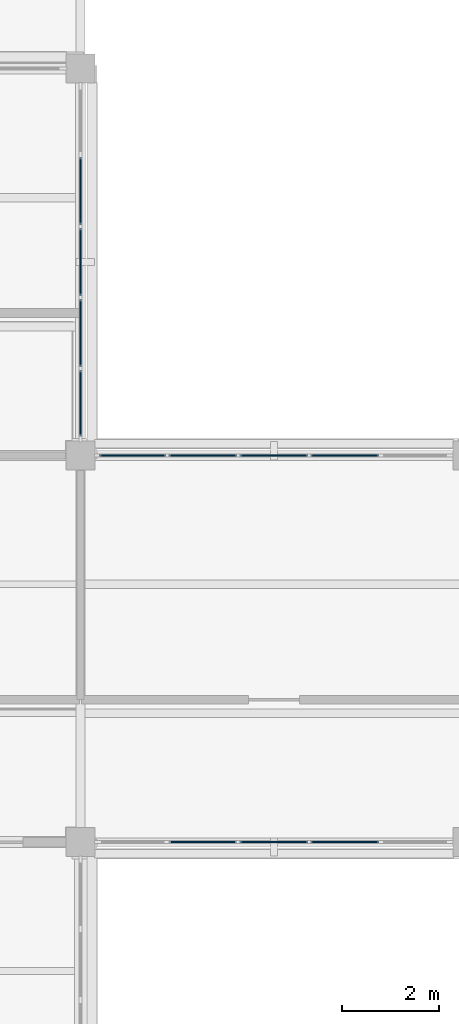
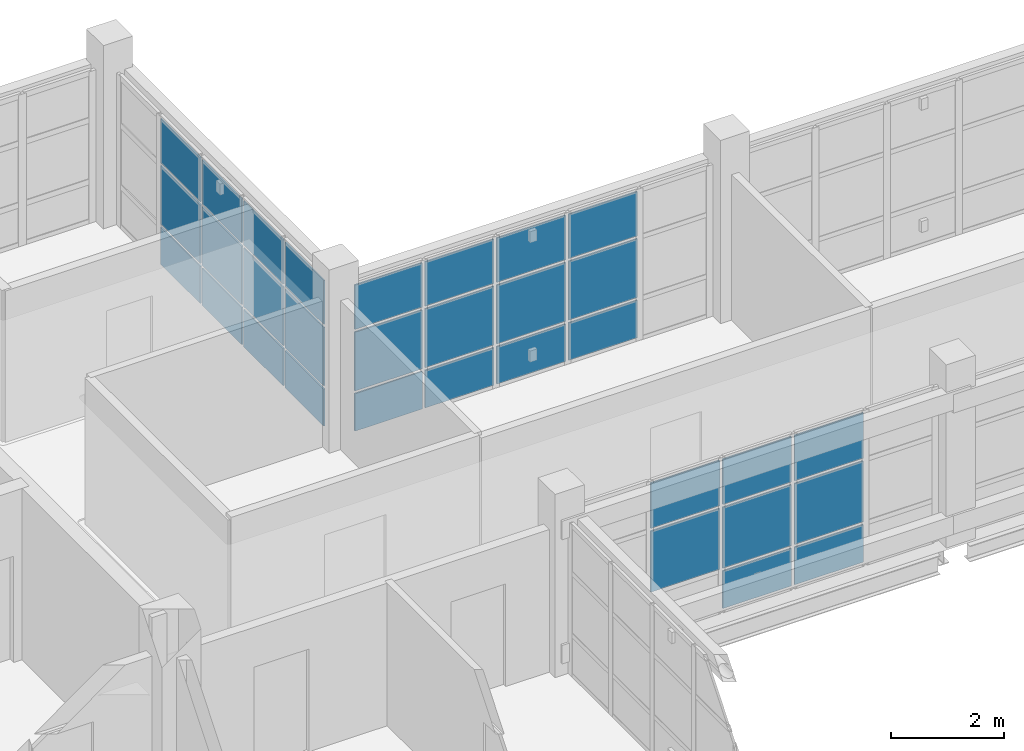
# One storey, part 72 of 126: 32 plates, 3 elements without a shape of their own.
"""IFC4 building model written with IfcOpenShell, lengths in metres."""

from ifc_helpers import new_model, si_unit, derived_unit, direction, frame, origin, origin_2d, place, context, subcontext, project, spatial, rectangle, extrude, material, layer, layer_set, type_object, element, aggregate, save


model = new_model("IFC4")

# Units and contexts
model_context = context("Model", 3, precision=1e-05, world=origin(), true_north=direction((0.0, 1.0)))
body_context = subcontext(model_context, "Body", "Model", "MODEL_VIEW")
ifc_project = project(units=[si_unit("LENGTHUNIT", "METRE"), si_unit("AREAUNIT", "SQUARE_METRE"), si_unit("VOLUMEUNIT", "CUBIC_METRE"), si_unit("PLANEANGLEUNIT", "RADIAN"), si_unit("MASSUNIT", "GRAM", prefix="KILO"), derived_unit("THERMALTRANSMITTANCEUNIT", [(si_unit("MASSUNIT", "GRAM", prefix="KILO"), 1), (si_unit("TIMEUNIT", "SECOND"), -3), (si_unit("THERMODYNAMICTEMPERATUREUNIT", "KELVIN"), -1)])], contexts=[model_context])

# Site, building, storey
site_placement = place(None, origin())
site = spatial("IfcSite", under=ifc_project, at=site_placement, CompositionType="ELEMENT")
building_placement = place(site_placement, origin())
building = spatial("IfcBuilding", under=site, at=building_placement, Name="Veyamyaing Civic Hall", CompositionType="ELEMENT")
storey_placement = place(building_placement, frame((0.0, 0.0, 9.89990234375)))
storey = spatial("IfcBuildingStorey", under=building, at=storey_placement, Name="L02", CompositionType="ELEMENT", Elevation=9.89990234375)

# Curtain wall, plates
ifc_material_1 = material(Name="Anodised aluminium 6063-T6", Category="aluminium")
ifc_layer_1 = layer(ifc_material_1, 0.159912109375, Name="Anodised aluminium 6063-T6")
ifc_layer_set_1 = layer_set([ifc_layer_1], Name="Anodised aluminium 6063-T6")
curtain_wall_type_1 = type_object("IfcCurtainWallType", Name="CW-03", PredefinedType="NOTDEFINED", material=ifc_layer_set_1)
curtain_wall_1_placement = place(storey_placement, origin())
curtain_wall_1 = element("IfcCurtainWall", 1, at=curtain_wall_1_placement, inside=storey, type_object=curtain_wall_type_1, Name="Unitized curtain wall CW-03 L02 E 15.8", PredefinedType="NOTDEFINED")
ifc_material_2 = material(Name="Low-E insulated glass", Category="glass")
ifc_layer_2 = layer(ifc_material_2, 0.028076171875, Name="Low-E insulated glass")
ifc_layer_set_2 = layer_set([ifc_layer_2], Name="Low-E insulated glass")
plate_type = type_object("IfcPlateType", Name="CWP-01", PredefinedType="CURTAIN_PANEL", material=ifc_layer_set_2)
plate_1_placement = place(storey_placement, frame((120.0, 57.080322265625, 0.06494140625), z_axis=(0.0, 0.0, 1.0), x_axis=(0.0, 1.0, 0.0)))
plate_1 = element("IfcPlate", 2, at=plate_1_placement, type_object=plate_type, Name="CW-03 panel 1.1", PredefinedType="CURTAIN_PANEL", context=body_context, shape_type="SweptSolid", body=[
    extrude(rectangle(XDim=1.37060546875, YDim=0.028076171875, at=origin_2d()), origin(), (0.0, 0.0, 1.0), 0.802490234375),
])
plate_2_placement = place(storey_placement, frame((120.0, 57.080322265625, 0.9326171875), z_axis=(0.0, 0.0, 1.0), x_axis=(0.0, 1.0, 0.0)))
plate_2 = element("IfcPlate", 3, at=plate_2_placement, type_object=plate_type, Name="CW-03 panel 1.2", PredefinedType="CURTAIN_PANEL", context=body_context, shape_type="SweptSolid", body=[
    extrude(rectangle(XDim=1.37060546875, YDim=0.028076171875, at=origin_2d()), origin(), (0.0, 0.0, 1.0), 1.265380859375),
])
plate_3_placement = place(storey_placement, frame((120.0, 57.080322265625, 2.262939453125), z_axis=(0.0, 0.0, 1.0), x_axis=(0.0, 1.0, 0.0)))
plate_3 = element("IfcPlate", 4, at=plate_3_placement, type_object=plate_type, Name="CW-03 panel 1.3", PredefinedType="CURTAIN_PANEL", context=body_context, shape_type="SweptSolid", body=[
    extrude(rectangle(XDim=1.37060546875, YDim=0.028076171875, at=origin_2d()), origin(), (0.0, 0.0, 1.0), 0.9521484375),
])
plate_4_placement = place(storey_placement, frame((120.0, 58.531982421875, 0.06494140625), z_axis=(0.0, 0.0, 1.0), x_axis=(0.0, 1.0, 0.0)))
plate_4 = element("IfcPlate", 5, at=plate_4_placement, type_object=plate_type, Name="CW-03 panel 2.1", PredefinedType="CURTAIN_PANEL", context=body_context, shape_type="SweptSolid", body=[
    extrude(rectangle(XDim=1.403076171875, YDim=0.028076171875, at=origin_2d()), origin(), (0.0, 0.0, 1.0), 0.802490234375),
])
plate_5_placement = place(storey_placement, frame((120.0, 58.531982421875, 0.9326171875), z_axis=(0.0, 0.0, 1.0), x_axis=(0.0, 1.0, 0.0)))
plate_5 = element("IfcPlate", 6, at=plate_5_placement, type_object=plate_type, Name="CW-03 panel 2.2", PredefinedType="CURTAIN_PANEL", context=body_context, shape_type="SweptSolid", body=[
    extrude(rectangle(XDim=1.403076171875, YDim=0.028076171875, at=origin_2d()), origin(), (0.0, 0.0, 1.0), 1.265380859375),
])
plate_6_placement = place(storey_placement, frame((120.0, 58.531982421875, 2.262939453125), z_axis=(0.0, 0.0, 1.0), x_axis=(0.0, 1.0, 0.0)))
plate_6 = element("IfcPlate", 7, at=plate_6_placement, type_object=plate_type, Name="CW-03 panel 2.3", PredefinedType="CURTAIN_PANEL", context=body_context, shape_type="SweptSolid", body=[
    extrude(rectangle(XDim=1.403076171875, YDim=0.028076171875, at=origin_2d()), origin(), (0.0, 0.0, 1.0), 0.9521484375),
])
plate_7_placement = place(storey_placement, frame((120.0, 60.0, 0.06494140625), z_axis=(0.0, 0.0, 1.0), x_axis=(0.0, 1.0, 0.0)))
plate_7 = element("IfcPlate", 8, at=plate_7_placement, type_object=plate_type, Name="CW-03 panel 3.1", PredefinedType="CURTAIN_PANEL", context=body_context, shape_type="SweptSolid", body=[
    extrude(rectangle(XDim=1.403076171875, YDim=0.028076171875, at=origin_2d()), origin(), (0.0, 0.0, 1.0), 0.802490234375),
])
plate_8_placement = place(storey_placement, frame((120.0, 60.0, 0.9326171875), z_axis=(0.0, 0.0, 1.0), x_axis=(0.0, 1.0, 0.0)))
plate_8 = element("IfcPlate", 9, at=plate_8_placement, type_object=plate_type, Name="CW-03 panel 3.2", PredefinedType="CURTAIN_PANEL", context=body_context, shape_type="SweptSolid", body=[
    extrude(rectangle(XDim=1.403076171875, YDim=0.028076171875, at=origin_2d()), origin(), (0.0, 0.0, 1.0), 1.265380859375),
])
plate_9_placement = place(storey_placement, frame((120.0, 60.0, 2.262939453125), z_axis=(0.0, 0.0, 1.0), x_axis=(0.0, 1.0, 0.0)))
plate_9 = element("IfcPlate", 10, at=plate_9_placement, type_object=plate_type, Name="CW-03 panel 3.3", PredefinedType="CURTAIN_PANEL", context=body_context, shape_type="SweptSolid", body=[
    extrude(rectangle(XDim=1.403076171875, YDim=0.028076171875, at=origin_2d()), origin(), (0.0, 0.0, 1.0), 0.9521484375),
])
plate_10_placement = place(storey_placement, frame((120.0, 61.468017578125, 0.06494140625), z_axis=(0.0, 0.0, 1.0), x_axis=(0.0, 1.0, 0.0)))
plate_10 = element("IfcPlate", 11, at=plate_10_placement, type_object=plate_type, Name="CW-03 panel 4.1", PredefinedType="CURTAIN_PANEL", context=body_context, shape_type="SweptSolid", body=[
    extrude(rectangle(XDim=1.403076171875, YDim=0.028076171875, at=origin_2d()), origin(), (0.0, 0.0, 1.0), 0.802490234375),
])
plate_11_placement = place(storey_placement, frame((120.0, 61.468017578125, 0.9326171875), z_axis=(0.0, 0.0, 1.0), x_axis=(0.0, 1.0, 0.0)))
plate_11 = element("IfcPlate", 12, at=plate_11_placement, type_object=plate_type, Name="CW-03 panel 4.2", PredefinedType="CURTAIN_PANEL", context=body_context, shape_type="SweptSolid", body=[
    extrude(rectangle(XDim=1.403076171875, YDim=0.028076171875, at=origin_2d()), origin(), (0.0, 0.0, 1.0), 1.265380859375),
])
plate_12_placement = place(storey_placement, frame((120.0, 61.468017578125, 2.262939453125), z_axis=(0.0, 0.0, 1.0), x_axis=(0.0, 1.0, 0.0)))
plate_12 = element("IfcPlate", 13, at=plate_12_placement, type_object=plate_type, Name="CW-03 panel 4.3", PredefinedType="CURTAIN_PANEL", context=body_context, shape_type="SweptSolid", body=[
    extrude(rectangle(XDim=1.403076171875, YDim=0.028076171875, at=origin_2d()), origin(), (0.0, 0.0, 1.0), 0.9521484375),
])
aggregate(curtain_wall_1, [plate_1, plate_2, plate_3, plate_4, plate_5, plate_6, plate_7, plate_8, plate_9, plate_10, plate_11, plate_12])

ifc_layer_3 = layer(ifc_material_1, 0.139892578125, Name="Anodised aluminium 6063-T6")
ifc_layer_set_3 = layer_set([ifc_layer_3], Name="Anodised aluminium 6063-T6")
curtain_wall_type_2 = type_object("IfcCurtainWallType", Name="CW-04", PredefinedType="NOTDEFINED", material=ifc_layer_set_3)
curtain_wall_2_placement = place(storey_placement, origin())
curtain_wall_2 = element("IfcCurtainWall", 14, at=curtain_wall_2_placement, inside=storey, type_object=curtain_wall_type_2, Name="Unitized curtain wall CW-04 L02 S 16.7", PredefinedType="NOTDEFINED")
plate_13_placement = place(storey_placement, frame((122.531982421875, 48.0, 0.93017578125), z_axis=(0.0, 0.0, 1.0), x_axis=(1.0, 0.0, 0.0)))
plate_13 = element("IfcPlate", 15, at=plate_13_placement, type_object=plate_type, Name="CW-04 panel 2.2", PredefinedType="CURTAIN_PANEL", context=body_context, shape_type="SweptSolid", body=[
    extrude(rectangle(XDim=1.407958984375, YDim=0.028076171875, at=origin_2d()), origin(), (0.0, 0.0, 1.0), 1.31591796875),
])
plate_14_placement = place(storey_placement, frame((122.531982421875, 48.0, 2.30615234375), z_axis=(0.0, 0.0, 1.0), x_axis=(1.0, 0.0, 0.0)))
plate_14 = element("IfcPlate", 16, at=plate_14_placement, type_object=plate_type, Name="CW-04 panel 2.3", PredefinedType="CURTAIN_PANEL", context=body_context, shape_type="SweptSolid", body=[
    extrude(rectangle(XDim=1.407958984375, YDim=0.028076171875, at=origin_2d()), origin(), (0.0, 0.0, 1.0), 0.98095703125),
])
plate_15_placement = place(storey_placement, frame((124.0, 48.0, 0.06005859375), z_axis=(0.0, 0.0, 1.0), x_axis=(1.0, 0.0, 0.0)))
plate_15 = element("IfcPlate", 17, at=plate_15_placement, type_object=plate_type, Name="CW-04 panel 3.1", PredefinedType="CURTAIN_PANEL", context=body_context, shape_type="SweptSolid", body=[
    extrude(rectangle(XDim=1.407958984375, YDim=0.028076171875, at=origin_2d()), origin(), (0.0, 0.0, 1.0), 0.81005859375),
])
plate_16_placement = place(storey_placement, frame((124.0, 48.0, 0.93017578125), z_axis=(0.0, 0.0, 1.0), x_axis=(1.0, 0.0, 0.0)))
plate_16 = element("IfcPlate", 18, at=plate_16_placement, type_object=plate_type, Name="CW-04 panel 3.2", PredefinedType="CURTAIN_PANEL", context=body_context, shape_type="SweptSolid", body=[
    extrude(rectangle(XDim=1.407958984375, YDim=0.028076171875, at=origin_2d()), origin(), (0.0, 0.0, 1.0), 1.31591796875),
])
plate_17_placement = place(storey_placement, frame((124.0, 48.0, 2.30615234375), z_axis=(0.0, 0.0, 1.0), x_axis=(1.0, 0.0, 0.0)))
plate_17 = element("IfcPlate", 19, at=plate_17_placement, type_object=plate_type, Name="CW-04 panel 3.3", PredefinedType="CURTAIN_PANEL", context=body_context, shape_type="SweptSolid", body=[
    extrude(rectangle(XDim=1.407958984375, YDim=0.028076171875, at=origin_2d()), origin(), (0.0, 0.0, 1.0), 0.98095703125),
])
plate_18_placement = place(storey_placement, frame((125.468017578125, 48.0, 0.06005859375), z_axis=(0.0, 0.0, 1.0), x_axis=(1.0, 0.0, 0.0)))
plate_18 = element("IfcPlate", 20, at=plate_18_placement, type_object=plate_type, Name="CW-04 panel 4.1", PredefinedType="CURTAIN_PANEL", context=body_context, shape_type="SweptSolid", body=[
    extrude(rectangle(XDim=1.407958984375, YDim=0.028076171875, at=origin_2d()), origin(), (0.0, 0.0, 1.0), 0.81005859375),
])
plate_19_placement = place(storey_placement, frame((125.468017578125, 48.0, 0.93017578125), z_axis=(0.0, 0.0, 1.0), x_axis=(1.0, 0.0, 0.0)))
plate_19 = element("IfcPlate", 21, at=plate_19_placement, type_object=plate_type, Name="CW-04 panel 4.2", PredefinedType="CURTAIN_PANEL", context=body_context, shape_type="SweptSolid", body=[
    extrude(rectangle(XDim=1.407958984375, YDim=0.028076171875, at=origin_2d()), origin(), (0.0, 0.0, 1.0), 1.31591796875),
])
plate_20_placement = place(storey_placement, frame((125.468017578125, 48.0, 2.30615234375), z_axis=(0.0, 0.0, 1.0), x_axis=(1.0, 0.0, 0.0)))
plate_20 = element("IfcPlate", 22, at=plate_20_placement, type_object=plate_type, Name="CW-04 panel 4.3", PredefinedType="CURTAIN_PANEL", context=body_context, shape_type="SweptSolid", body=[
    extrude(rectangle(XDim=1.407958984375, YDim=0.028076171875, at=origin_2d()), origin(), (0.0, 0.0, 1.0), 0.98095703125),
])
aggregate(curtain_wall_2, [plate_13, plate_14, plate_15, plate_16, plate_17, plate_18, plate_19, plate_20])

curtain_wall_3_placement = place(storey_placement, origin())
curtain_wall_3 = element("IfcCurtainWall", 23, at=curtain_wall_3_placement, inside=storey, type_object=curtain_wall_type_2, Name="Unitized curtain wall CW-04 L02 N 16.7", PredefinedType="NOTDEFINED")
plate_21_placement = place(storey_placement, frame((121.0791015625, 56.0, 0.06005859375), z_axis=(0.0, 0.0, 1.0), x_axis=(1.0, 0.0, 0.0)))
plate_21 = element("IfcPlate", 24, at=plate_21_placement, type_object=plate_type, Name="CW-04 panel 1.1", PredefinedType="CURTAIN_PANEL", context=body_context, shape_type="SweptSolid", body=[
    extrude(rectangle(XDim=1.3779296875, YDim=0.028076171875, at=origin_2d()), origin(), (0.0, 0.0, 1.0), 0.81005859375),
])
plate_22_placement = place(storey_placement, frame((121.0791015625, 56.0, 0.929931640625), z_axis=(0.0, 0.0, 1.0), x_axis=(1.0, 0.0, 0.0)))
plate_22 = element("IfcPlate", 25, at=plate_22_placement, type_object=plate_type, Name="CW-04 panel 1.2", PredefinedType="CURTAIN_PANEL", context=body_context, shape_type="SweptSolid", body=[
    extrude(rectangle(XDim=1.3779296875, YDim=0.028076171875, at=origin_2d()), origin(), (0.0, 0.0, 1.0), 1.2705078125),
])
plate_23_placement = place(storey_placement, frame((121.0791015625, 56.0, 2.26025390625), z_axis=(0.0, 0.0, 1.0), x_axis=(1.0, 0.0, 0.0)))
plate_23 = element("IfcPlate", 26, at=plate_23_placement, type_object=plate_type, Name="CW-04 panel 1.3", PredefinedType="CURTAIN_PANEL", context=body_context, shape_type="SweptSolid", body=[
    extrude(rectangle(XDim=1.3779296875, YDim=0.028076171875, at=origin_2d()), origin(), (0.0, 0.0, 1.0), 0.959716796875),
])
plate_24_placement = place(storey_placement, frame((122.531982421875, 56.0, 0.06005859375), z_axis=(0.0, 0.0, 1.0), x_axis=(1.0, 0.0, 0.0)))
plate_24 = element("IfcPlate", 27, at=plate_24_placement, type_object=plate_type, Name="CW-04 panel 2.1", PredefinedType="CURTAIN_PANEL", context=body_context, shape_type="SweptSolid", body=[
    extrude(rectangle(XDim=1.407958984375, YDim=0.028076171875, at=origin_2d()), origin(), (0.0, 0.0, 1.0), 0.81005859375),
])
plate_25_placement = place(storey_placement, frame((122.531982421875, 56.0, 0.929931640625), z_axis=(0.0, 0.0, 1.0), x_axis=(1.0, 0.0, 0.0)))
plate_25 = element("IfcPlate", 28, at=plate_25_placement, type_object=plate_type, Name="CW-04 panel 2.2", PredefinedType="CURTAIN_PANEL", context=body_context, shape_type="SweptSolid", body=[
    extrude(rectangle(XDim=1.407958984375, YDim=0.028076171875, at=origin_2d()), origin(), (0.0, 0.0, 1.0), 1.2705078125),
])
plate_26_placement = place(storey_placement, frame((122.531982421875, 56.0, 2.26025390625), z_axis=(0.0, 0.0, 1.0), x_axis=(1.0, 0.0, 0.0)))
plate_26 = element("IfcPlate", 29, at=plate_26_placement, type_object=plate_type, Name="CW-04 panel 2.3", PredefinedType="CURTAIN_PANEL", context=body_context, shape_type="SweptSolid", body=[
    extrude(rectangle(XDim=1.407958984375, YDim=0.028076171875, at=origin_2d()), origin(), (0.0, 0.0, 1.0), 0.959716796875),
])
plate_27_placement = place(storey_placement, frame((124.0, 56.0, 0.06005859375), z_axis=(0.0, 0.0, 1.0), x_axis=(1.0, 0.0, 0.0)))
plate_27 = element("IfcPlate", 30, at=plate_27_placement, type_object=plate_type, Name="CW-04 panel 3.1", PredefinedType="CURTAIN_PANEL", context=body_context, shape_type="SweptSolid", body=[
    extrude(rectangle(XDim=1.407958984375, YDim=0.028076171875, at=origin_2d()), origin(), (0.0, 0.0, 1.0), 0.81005859375),
])
plate_28_placement = place(storey_placement, frame((124.0, 56.0, 0.929931640625), z_axis=(0.0, 0.0, 1.0), x_axis=(1.0, 0.0, 0.0)))
plate_28 = element("IfcPlate", 31, at=plate_28_placement, type_object=plate_type, Name="CW-04 panel 3.2", PredefinedType="CURTAIN_PANEL", context=body_context, shape_type="SweptSolid", body=[
    extrude(rectangle(XDim=1.407958984375, YDim=0.028076171875, at=origin_2d()), origin(), (0.0, 0.0, 1.0), 1.2705078125),
])
plate_29_placement = place(storey_placement, frame((124.0, 56.0, 2.26025390625), z_axis=(0.0, 0.0, 1.0), x_axis=(1.0, 0.0, 0.0)))
plate_29 = element("IfcPlate", 32, at=plate_29_placement, type_object=plate_type, Name="CW-04 panel 3.3", PredefinedType="CURTAIN_PANEL", context=body_context, shape_type="SweptSolid", body=[
    extrude(rectangle(XDim=1.407958984375, YDim=0.028076171875, at=origin_2d()), origin(), (0.0, 0.0, 1.0), 0.959716796875),
])
plate_30_placement = place(storey_placement, frame((125.468017578125, 56.0, 0.06005859375), z_axis=(0.0, 0.0, 1.0), x_axis=(1.0, 0.0, 0.0)))
plate_30 = element("IfcPlate", 33, at=plate_30_placement, type_object=plate_type, Name="CW-04 panel 4.1", PredefinedType="CURTAIN_PANEL", context=body_context, shape_type="SweptSolid", body=[
    extrude(rectangle(XDim=1.407958984375, YDim=0.028076171875, at=origin_2d()), origin(), (0.0, 0.0, 1.0), 0.81005859375),
])
plate_31_placement = place(storey_placement, frame((125.468017578125, 56.0, 0.929931640625), z_axis=(0.0, 0.0, 1.0), x_axis=(1.0, 0.0, 0.0)))
plate_31 = element("IfcPlate", 34, at=plate_31_placement, type_object=plate_type, Name="CW-04 panel 4.2", PredefinedType="CURTAIN_PANEL", context=body_context, shape_type="SweptSolid", body=[
    extrude(rectangle(XDim=1.407958984375, YDim=0.028076171875, at=origin_2d()), origin(), (0.0, 0.0, 1.0), 1.2705078125),
])
plate_32_placement = place(storey_placement, frame((125.468017578125, 56.0, 2.26025390625), z_axis=(0.0, 0.0, 1.0), x_axis=(1.0, 0.0, 0.0)))
plate_32 = element("IfcPlate", 35, at=plate_32_placement, type_object=plate_type, Name="CW-04 panel 4.3", PredefinedType="CURTAIN_PANEL", context=body_context, shape_type="SweptSolid", body=[
    extrude(rectangle(XDim=1.407958984375, YDim=0.028076171875, at=origin_2d()), origin(), (0.0, 0.0, 1.0), 0.959716796875),
])
aggregate(curtain_wall_3, [plate_21, plate_22, plate_23, plate_24, plate_25, plate_26, plate_27, plate_28, plate_29, plate_30, plate_31, plate_32])

save(model, "model.ifc")
